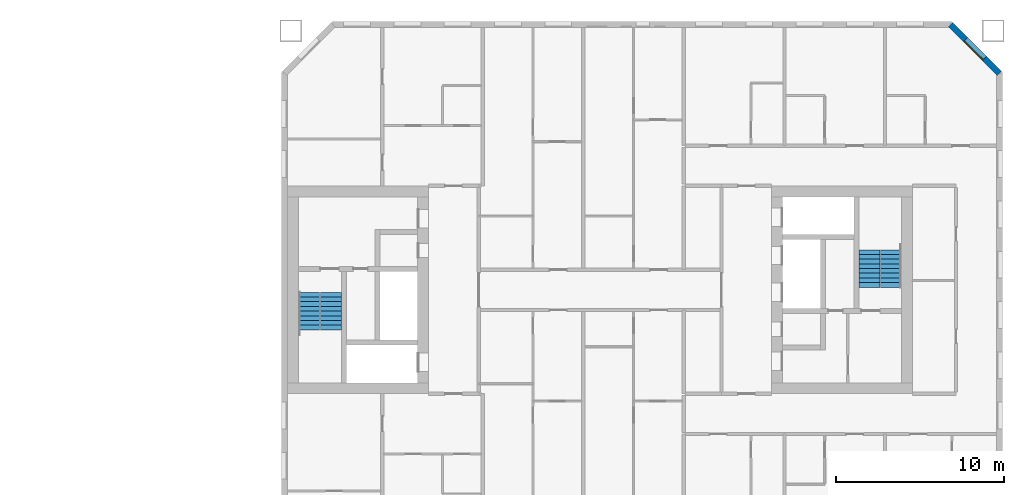
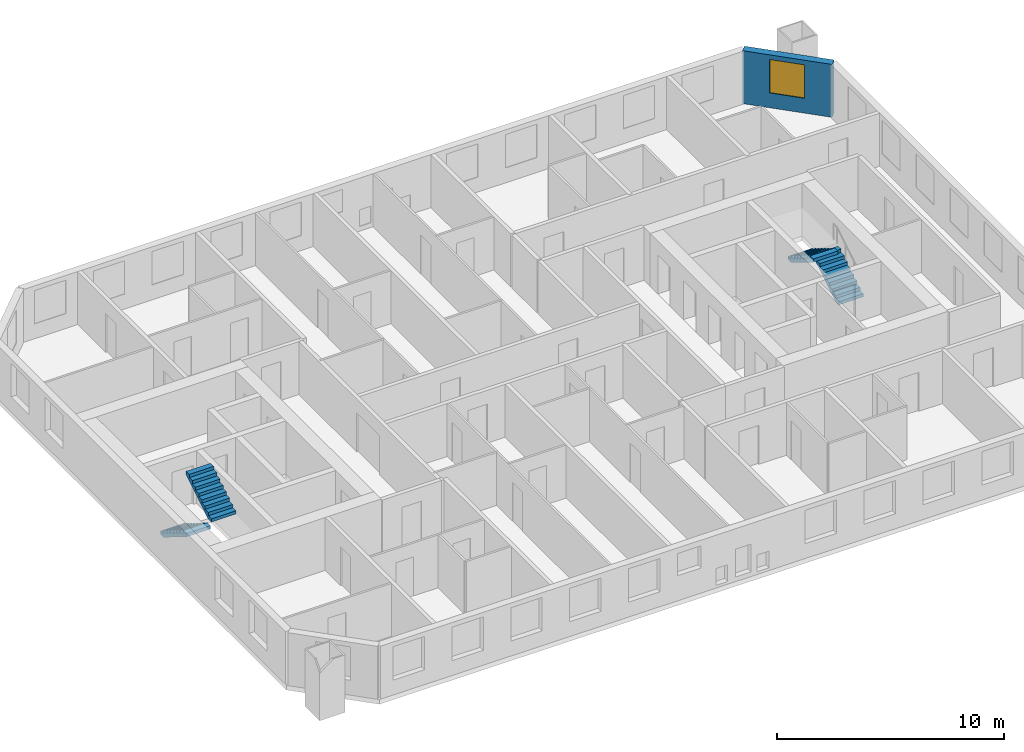
# One storey, part 14 of 16: 4 stair flights, 1 wall, 1 window, 1 opening, 2 elements without a shape of their own.
"""IFC4 building model written with IfcOpenShell, lengths in metres."""

from ifc_helpers import new_model, si_unit, direction, frame, frame_2d, origin, place, context, subcontext, project, spatial, polyline, rectangle, outline, extrude, material, layer, layer_set, type_object, element, fill, aggregate, save


model = new_model("IFC4")

# Units and contexts
model_context = context("Model", 3, precision=1e-05, world=origin(), true_north=direction((0.0, 1.0)))
body_context = subcontext(model_context, "Body", "Model", "MODEL_VIEW")
ifc_project = project(units=[si_unit("LENGTHUNIT", "METRE"), si_unit("AREAUNIT", "SQUARE_METRE"), si_unit("VOLUMEUNIT", "CUBIC_METRE"), si_unit("PLANEANGLEUNIT", "RADIAN"), si_unit("MASSUNIT", "GRAM", prefix="KILO")], contexts=[model_context])

# Site, building, storey
site_placement = place(None, origin())
site = spatial("IfcSite", under=ifc_project, at=site_placement, CompositionType="ELEMENT")
building_placement = place(site_placement, origin())
building = spatial("IfcBuilding", under=site, at=building_placement, Name="Tuart Gate Housing", CompositionType="ELEMENT")
storey_placement = place(building_placement, frame((0.0, 0.0, 111.89990234375)))
storey = spatial("IfcBuildingStorey", under=building, at=storey_placement, Name="L31", CompositionType="ELEMENT", Elevation=111.89990234375)

# Wall, opening, window
ifc_material_1 = material(Name="Brick", Category="masonry")
ifc_layer = layer(ifc_material_1, 0.360107421875)
ifc_layer_set = layer_set([ifc_layer], Name="Brick pier and spandrel wall 360")
wall_type = type_object("IfcWallType", Name="Brick pier and spandrel wall 360", PredefinedType="STANDARD", material=ifc_layer_set)
wall_placement = place(storey_placement, frame((173.820068359375, 82.92529296875, 0.0), z_axis=(0.0, 0.0, 1.0), x_axis=(-0.707106781187, 0.707106781187, 0.0)))
wall = element("IfcWall", 1, at=wall_placement, inside=storey, type_object=wall_type, Name="External wall B-NE L31", PredefinedType="STANDARD", context=body_context, shape_type="SweptSolid", body=[
    extrude(rectangle(XDim=4.09375, YDim=0.360107421875, at=frame_2d((2.046875, 0.0))), origin(), (0.0, 0.0, 1.0), 2.85009765625),
])
opening_placement = place(wall_placement, frame((1.2470703125, 0.0, 0.800048828125)))
opening = element("IfcOpeningElement", 2, at=opening_placement, cuts=wall, Name="Opening W1", PredefinedType="OPENING", context=body_context, shape_type="SweptSolid", body=[
    extrude(rectangle(XDim=1.60009765625, YDim=1.800048828125, at=frame_2d((0.800048828125, 0.89990234375))), frame((0.0, 0.18994140625, 0.0), z_axis=(0.0, -1.0, 0.0), x_axis=(1.0, 0.0, 0.0)), (0.0, 0.0, 1.0), 0.380126953125),
])
ifc_material_2 = material(Name="Aluminium frame with clear glass", Category="aluminium")
window_type = type_object("IfcWindowType", Name="Punched window 1600 x 1800", PartitioningType="SINGLE_PANEL", PredefinedType="WINDOW", material=ifc_material_2)
window_placement = place(opening_placement, origin())
window = element("IfcWindow", 3, at=window_placement, inside=storey, type_object=window_type, Name="Window W1", OverallHeight=1.800048828125, OverallWidth=1.60009765625, PartitioningType="SINGLE_PANEL", PredefinedType="WINDOW", context=body_context, shape_type="SweptSolid", body=[
    extrude(rectangle(XDim=1.60009765625, YDim=1.800048828125, at=frame_2d((0.800048828125, 0.89990234375))), frame((0.0, 0.150146484375, 0.0), z_axis=(0.0, -1.0, 0.0), x_axis=(1.0, 0.0, 0.0)), (0.0, 0.0, 1.0), 0.06005859375),
])
fill(opening, window)

# Stair, stair flights
ifc_material_3 = material(Name="Concrete C40", Category="concrete")
stair_type = type_object("IfcStairType", Name="Core stair 1250", PredefinedType="HALF_TURN_STAIR", material=ifc_material_3)
stair_1_placement = place(storey_placement, origin())
stair_1 = element("IfcStair", 4, at=stair_1_placement, inside=storey, type_object=stair_type, Name="Stair SB1", PredefinedType="HALF_TURN_STAIR")
ifc_material_4 = material(Name="Concrete C40", Category="concrete")
stair_flight_type = type_object("IfcStairFlightType", Name="Stair flight 1250, 9 risers 172 x 280", PredefinedType="STRAIGHT", material=ifc_material_4)
stair_flight_1_placement = place(storey_placement, frame((132.635009765625, 69.85009765625, 0.0), z_axis=(0.0, 0.0, 1.0), x_axis=(0.0, -1.0, 0.0)))
stair_flight_1 = element("IfcStairFlight", 5, at=stair_flight_1_placement, type_object=stair_flight_type, Name="SB1 flight 1", NumberOfRisers=9, NumberOfTreads=8, PredefinedType="STRAIGHT", RiserHeight=0.172222222, TreadLength=0.28, context=body_context, shape_type="SweptSolid", body=[
    extrude(outline(polyline([(0.0, 0.0), (0.0, 0.172119140625), (0.280029296875, 0.172119140625), (0.280029296875, 0.344482421875), (0.56005859375, 0.344482421875), (0.56005859375, 0.5166015625), (0.840087890625, 0.5166015625), (0.840087890625, 0.68896484375), (1.1201171875, 0.68896484375), (1.1201171875, 0.861083984375), (1.39990234375, 0.861083984375), (1.39990234375, 1.033447265625), (1.679931640625, 1.033447265625), (1.679931640625, 1.20556640625), (1.9599609375, 1.20556640625), (1.9599609375, 1.377685546875), (2.239990234375, 1.377685546875), (2.239990234375, 1.550048828125), (2.239990234375, 1.201904296875), (0.2861328125, 0.0), (0.0, 0.0)])), frame((0.0, 0.625, 0.0), z_axis=(0.0, -1.0, 0.0), x_axis=(1.0, 0.0, 0.0)), (0.0, 0.0, 1.0), 1.25),
])
stair_flight_2_placement = place(storey_placement, frame((133.93505859375, 67.610107421875, 1.550048828125), z_axis=(0.0, 0.0, 1.0), x_axis=(0.0, 1.0, 0.0)))
stair_flight_2 = element("IfcStairFlight", 6, at=stair_flight_2_placement, type_object=stair_flight_type, Name="SB1 flight 2", NumberOfRisers=9, NumberOfTreads=8, PredefinedType="STRAIGHT", RiserHeight=0.172222222, TreadLength=0.28, context=body_context, shape_type="SweptSolid", body=[
    extrude(outline(polyline([(0.0, 0.0), (0.0, 0.172119140625), (0.280029296875, 0.172119140625), (0.280029296875, 0.344482421875), (0.56005859375, 0.344482421875), (0.56005859375, 0.5166015625), (0.840087890625, 0.5166015625), (0.840087890625, 0.68896484375), (1.1201171875, 0.68896484375), (1.1201171875, 0.861083984375), (1.39990234375, 0.861083984375), (1.39990234375, 1.033447265625), (1.679931640625, 1.033447265625), (1.679931640625, 1.20556640625), (1.9599609375, 1.20556640625), (1.9599609375, 1.377685546875), (2.239990234375, 1.377685546875), (2.239990234375, 1.550048828125), (2.239990234375, 1.201904296875), (0.2861328125, 0.0), (0.0, 0.0)])), frame((0.0, 0.625, 0.0), z_axis=(0.0, -1.0, 0.0), x_axis=(1.0, 0.0, 0.0)), (0.0, 0.0, 1.0), 1.25),
])
aggregate(stair_1, [stair_flight_1, stair_flight_2])

stair_2_placement = place(storey_placement, origin())
stair_2 = element("IfcStair", 7, at=stair_2_placement, inside=storey, type_object=stair_type, Name="Stair SB2", PredefinedType="HALF_TURN_STAIR")
stair_flight_3_placement = place(storey_placement, frame((167.364990234375, 70.14990234375, 0.0), z_axis=(0.0, 0.0, 1.0), x_axis=(0.0, 1.0, 0.0)))
stair_flight_3 = element("IfcStairFlight", 8, at=stair_flight_3_placement, type_object=stair_flight_type, Name="SB2 flight 1", NumberOfRisers=9, NumberOfTreads=8, PredefinedType="STRAIGHT", RiserHeight=0.172222222, TreadLength=0.28, context=body_context, shape_type="SweptSolid", body=[
    extrude(outline(polyline([(0.0, 0.0), (0.0, 0.172119140625), (0.280029296875, 0.172119140625), (0.280029296875, 0.344482421875), (0.56005859375, 0.344482421875), (0.56005859375, 0.5166015625), (0.840087890625, 0.5166015625), (0.840087890625, 0.68896484375), (1.1201171875, 0.68896484375), (1.1201171875, 0.861083984375), (1.39990234375, 0.861083984375), (1.39990234375, 1.033447265625), (1.679931640625, 1.033447265625), (1.679931640625, 1.20556640625), (1.9599609375, 1.20556640625), (1.9599609375, 1.377685546875), (2.239990234375, 1.377685546875), (2.239990234375, 1.550048828125), (2.239990234375, 1.201904296875), (0.2861328125, 0.0), (0.0, 0.0)])), frame((0.0, 0.625, 0.0), z_axis=(0.0, -1.0, 0.0), x_axis=(1.0, 0.0, 0.0)), (0.0, 0.0, 1.0), 1.25),
])
stair_flight_4_placement = place(storey_placement, frame((166.06494140625, 72.389892578125, 1.550048828125), z_axis=(0.0, 0.0, 1.0), x_axis=(0.0, -1.0, 0.0)))
stair_flight_4 = element("IfcStairFlight", 9, at=stair_flight_4_placement, type_object=stair_flight_type, Name="SB2 flight 2", NumberOfRisers=9, NumberOfTreads=8, PredefinedType="STRAIGHT", RiserHeight=0.172222222, TreadLength=0.28, context=body_context, shape_type="SweptSolid", body=[
    extrude(outline(polyline([(0.0, 0.0), (0.0, 0.172119140625), (0.280029296875, 0.172119140625), (0.280029296875, 0.344482421875), (0.56005859375, 0.344482421875), (0.56005859375, 0.5166015625), (0.840087890625, 0.5166015625), (0.840087890625, 0.68896484375), (1.1201171875, 0.68896484375), (1.1201171875, 0.861083984375), (1.39990234375, 0.861083984375), (1.39990234375, 1.033447265625), (1.679931640625, 1.033447265625), (1.679931640625, 1.20556640625), (1.9599609375, 1.20556640625), (1.9599609375, 1.377685546875), (2.239990234375, 1.377685546875), (2.239990234375, 1.550048828125), (2.239990234375, 1.201904296875), (0.2861328125, 0.0), (0.0, 0.0)])), frame((0.0, 0.625, 0.0), z_axis=(0.0, -1.0, 0.0), x_axis=(1.0, 0.0, 0.0)), (0.0, 0.0, 1.0), 1.25),
])
aggregate(stair_2, [stair_flight_3, stair_flight_4])

save(model, "model.ifc")
